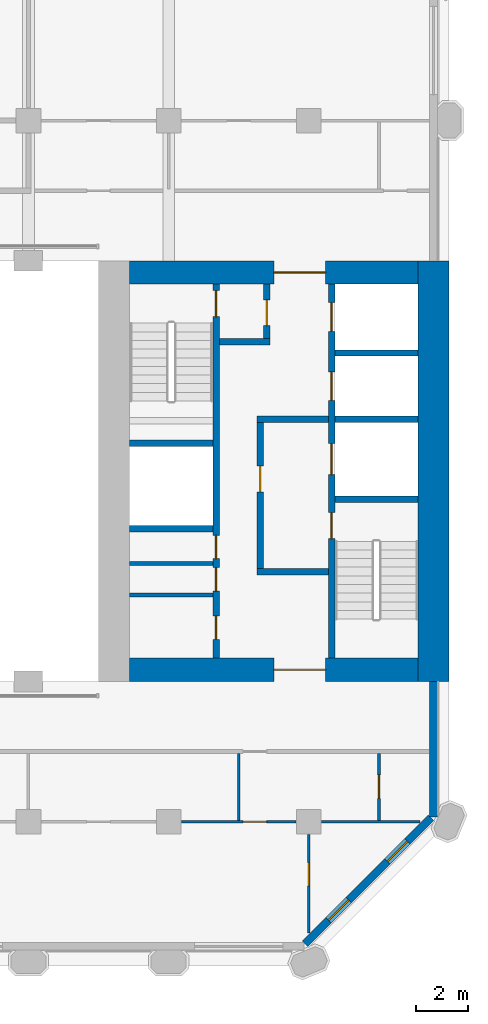
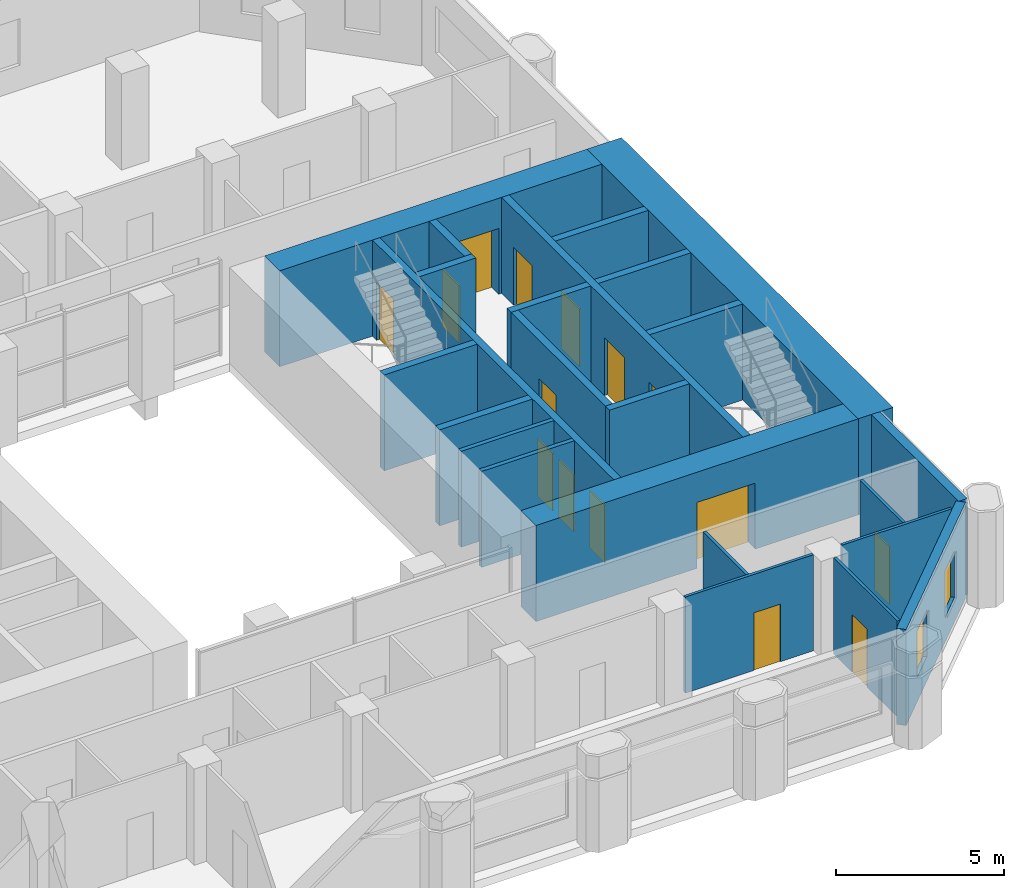
# One storey, part 8 of 13: 24 walls, 15 doors, 2 windows, 17 openings.
"""IFC4 building model written with IfcOpenShell, lengths in metres."""

from ifc_helpers import new_model, si_unit, direction, frame, frame_2d, origin, place, context, subcontext, project, spatial, rectangle, extrude, material, layer, layer_set, type_object, element, fill, save


model = new_model("IFC4")

# Units and contexts
model_context = context("Model", 3, precision=1e-05, world=origin(), true_north=direction((0.0, 1.0)))
body_context = subcontext(model_context, "Body", "Model", "MODEL_VIEW")
ifc_project = project(units=[si_unit("LENGTHUNIT", "METRE"), si_unit("AREAUNIT", "SQUARE_METRE"), si_unit("VOLUMEUNIT", "CUBIC_METRE"), si_unit("PLANEANGLEUNIT", "RADIAN"), si_unit("MASSUNIT", "GRAM", prefix="KILO")], contexts=[model_context])

# Site, building, storey
site_placement = place(None, origin())
site = spatial("IfcSite", under=ifc_project, at=site_placement, CompositionType="ELEMENT")
building_placement = place(site_placement, origin())
building = spatial("IfcBuilding", under=site, at=building_placement, Name="Tabaq Tower and Sports Hall", CompositionType="ELEMENT")
storey_placement = place(building_placement, frame((0.0, 0.0, 114.39990234375)))
storey = spatial("IfcBuildingStorey", under=building, at=storey_placement, Name="L27", CompositionType="ELEMENT", Elevation=114.39990234375)

# Walls
ifc_material_1 = material(Name="Blockwork", Category="masonry")
ifc_layer_1 = layer(ifc_material_1, 0.14990234375)
ifc_layer_set_1 = layer_set([ifc_layer_1], Name="Core room partition 150 Blockwork")
wall_type_1 = type_object("IfcWallType", Name="Core room partition 150 Blockwork", PredefinedType="PARTITIONING", material=ifc_layer_set_1)
for number, where, z_axis, x_axis, name in (
    (1, (30.89990234375, 19.52490234375, 0.0), (0.0, 0.0, 1.0), (1.0, 0.0, 0.0), "Core room partition E L27"),
    (2, (30.89990234375, 20.737060546875, 0.0), (0.0, 0.0, 1.0), (1.0, 0.0, 0.0), "Core room partition E L27"),
):
    element("IfcWall", number, at=place(storey_placement, frame(where, z_axis=z_axis, x_axis=x_axis)), inside=storey, type_object=wall_type_1, Name=name, PredefinedType="PARTITIONING", context=body_context, shape_type="SweptSolid", body=[
        extrude(rectangle(XDim=3.2001953125, YDim=0.14990234375, at=frame_2d((1.60009765625, 0.0))), origin(), (0.0, 0.0, 1.0), 3.5),
    ])
ifc_material_2 = material(Name="Concrete C60/75", Category="concrete")
ifc_layer_2 = layer(ifc_material_2, 1.199951171875)
ifc_layer_set_2 = layer_set([ifc_layer_2], Name="Core wall 1200 Concrete C60/75")
wall_type_2 = type_object("IfcWallType", Name="Core wall 1200 Concrete C60/75", PredefinedType="SOLIDWALL", material=ifc_layer_set_2)
wall_1_placement = place(storey_placement, frame((42.60009765625, 32.39990234375, 0.0), z_axis=(0.0, 0.0, 1.0), x_axis=(0.0, -1.0, 0.0)))
element("IfcWall", 3, at=wall_1_placement, inside=storey, type_object=wall_type_2, Name="Core wall E L27", PredefinedType="SOLIDWALL", context=body_context, shape_type="SweptSolid", body=[
    extrude(rectangle(XDim=16.199951171875, YDim=1.199951171875, at=frame_2d((8.10009765625, 0.0))), origin(), (0.0, 0.0, 1.0), 3.5),
])

# Wall, opening, door
ifc_material_3 = material(Name="Concrete C60/75", Category="concrete")
ifc_layer_3 = layer(ifc_material_3, 0.89990234375)
ifc_layer_set_3 = layer_set([ifc_layer_3], Name="Core wall 900 Concrete C60/75")
wall_type_3 = type_object("IfcWallType", Name="Core wall 900 Concrete C60/75", PredefinedType="SOLIDWALL", material=ifc_layer_set_3)
wall_2_placement = place(storey_placement, frame((42.0, 16.64990234375, 0.0), z_axis=(0.0, 0.0, 1.0), x_axis=(-1.0, 0.0, 0.0)))
wall_2 = element("IfcWall", 4, at=wall_2_placement, inside=storey, type_object=wall_type_3, Name="Core wall E L27", PredefinedType="SOLIDWALL", context=body_context, shape_type="SweptSolid", body=[
    extrude(rectangle(XDim=11.10009765625, YDim=0.89990234375, at=frame_2d((5.550048828125, 0.0))), origin(), (0.0, 0.0, 1.0), 3.5),
])
opening_1_placement = place(wall_2_placement, frame((3.550048828125, 0.0, 0.0)))
opening_1 = element("IfcOpeningElement", 5, at=opening_1_placement, cuts=wall_2, Name="Opening PD-EL27-01", PredefinedType="OPENING", context=body_context, shape_type="SweptSolid", body=[
    extrude(rectangle(XDim=2.0, YDim=2.39990234375, at=frame_2d((1.0, 1.199951171875))), frame((0.0, 0.449951171875, 0.0), z_axis=(0.0, -1.0, 0.0), x_axis=(1.0, 0.0, 0.0)), (0.0, 0.0, 1.0), 0.89990234375),
])
ifc_material_4 = material(Name="Steel fire door", Category="steel")
door_type_1 = type_object("IfcDoorType", Name="Core entrance door 2000", OperationType="DOUBLE_DOOR_SINGLE_SWING", PredefinedType="DOOR", material=ifc_material_4)
door_1_placement = place(opening_1_placement, origin())
door_1 = element("IfcDoor", 6, at=door_1_placement, inside=storey, type_object=door_type_1, Name="Core entrance south E L27", OperationType="DOUBLE_DOOR_SINGLE_SWING", OverallHeight=2.39990234375, OverallWidth=2.0, PredefinedType="DOOR", context=body_context, shape_type="SweptSolid", body=[
    extrude(rectangle(XDim=2.0, YDim=2.39990234375, at=frame_2d((1.0, 1.199951171875))), frame((0.0, 0.02490234375, 0.0), z_axis=(0.0, -1.0, 0.0), x_axis=(1.0, 0.0, 0.0)), (0.0, 0.0, 1.0), 0.050048828125),
])
fill(opening_1, door_1)

wall_3_placement = place(storey_placement, frame((30.89990234375, 31.949951171875, 0.0), z_axis=(0.0, 0.0, 1.0), x_axis=(1.0, 0.0, 0.0)))
wall_3 = element("IfcWall", 7, at=wall_3_placement, inside=storey, type_object=wall_type_3, Name="Core wall E L27", PredefinedType="SOLIDWALL", context=body_context, shape_type="SweptSolid", body=[
    extrude(rectangle(XDim=11.10009765625, YDim=0.89990234375, at=frame_2d((5.550048828125, 0.0))), origin(), (0.0, 0.0, 1.0), 3.5),
])
opening_2_placement = place(wall_3_placement, frame((5.550048828125, 0.0, 0.0)))
opening_2 = element("IfcOpeningElement", 8, at=opening_2_placement, cuts=wall_3, Name="Opening PD-EL27-02", PredefinedType="OPENING", context=body_context, shape_type="SweptSolid", body=[
    extrude(rectangle(XDim=2.0, YDim=2.39990234375, at=frame_2d((1.0, 1.199951171875))), frame((0.0, 0.449951171875, 0.0), z_axis=(0.0, -1.0, 0.0), x_axis=(1.0, 0.0, 0.0)), (0.0, 0.0, 1.0), 0.89990234375),
])
door_2_placement = place(opening_2_placement, origin())
door_2 = element("IfcDoor", 9, at=door_2_placement, inside=storey, type_object=door_type_1, Name="Core entrance north E L27", OperationType="DOUBLE_DOOR_SINGLE_SWING", OverallHeight=2.39990234375, OverallWidth=2.0, PredefinedType="DOOR", context=body_context, shape_type="SweptSolid", body=[
    extrude(rectangle(XDim=2.0, YDim=2.39990234375, at=frame_2d((1.0, 1.199951171875))), frame((0.0, 0.02490234375, 0.0), z_axis=(0.0, -1.0, 0.0), x_axis=(1.0, 0.0, 0.0)), (0.0, 0.0, 1.0), 0.050048828125),
])
fill(opening_2, door_2)

# Wall
ifc_material_5 = material(Name="Gypsum board on steel studs", Category="steel")
ifc_layer_4 = layer(ifc_material_5, 0.10009765625)
ifc_layer_set_4 = layer_set([ifc_layer_4], Name="Partition 100 Gypsum board")
wall_type_4 = type_object("IfcWallType", Name="Partition 100 Gypsum board", PredefinedType="PARTITIONING", material=ifc_layer_set_4)
wall_4_placement = place(storey_placement, frame((35.10009765625, 10.85009765625, 0.0), z_axis=(0.0, 0.0, 1.0), x_axis=(0.0, 1.0, 0.0)))
element("IfcWall", 10, at=wall_4_placement, inside=storey, type_object=wall_type_4, Name="Partition wall L27", PredefinedType="PARTITIONING", context=body_context, shape_type="SweptSolid", body=[
    extrude(rectangle(XDim=2.574951171875, YDim=0.10009765625, at=frame_2d((1.28759765625, 0.0))), origin(), (0.0, 0.0, 1.0), 3.5),
])

# Wall, opening, door
wall_5_placement = place(storey_placement, frame((32.89501953125, 10.800048828125, 0.0), z_axis=(0.0, 0.0, 1.0), x_axis=(1.0, 0.0, 0.0)))
wall_5 = element("IfcWall", 11, at=wall_5_placement, inside=storey, type_object=wall_type_4, Name="Partition wall L27", PredefinedType="PARTITIONING", context=body_context, shape_type="SweptSolid", body=[
    extrude(rectangle(XDim=4.409912109375, YDim=0.10009765625, at=frame_2d((2.205078125, 0.0))), origin(), (0.0, 0.0, 1.0), 3.5),
])
opening_3_placement = place(wall_5_placement, frame((2.375, 0.0, 0.0)))
opening_3 = element("IfcOpeningElement", 12, at=opening_3_placement, cuts=wall_5, Name="Opening L27-033", PredefinedType="OPENING", context=body_context, shape_type="SweptSolid", body=[
    extrude(rectangle(XDim=0.89990234375, YDim=2.10009765625, at=frame_2d((0.449951171875, 1.050048828125))), frame((0.0, 0.050048828125, 0.0), z_axis=(0.0, -1.0, 0.0), x_axis=(1.0, 0.0, 0.0)), (0.0, 0.0, 1.0), 0.10009765625),
])
ifc_material_6 = material(Name="Timber leaf in steel frame", Category="steel")
door_type_2 = type_object("IfcDoorType", Name="Internal door 900 left hand", OperationType="SINGLE_SWING_LEFT", PredefinedType="DOOR", material=ifc_material_6)
door_3_placement = place(opening_3_placement, origin())
door_3 = element("IfcDoor", 13, at=door_3_placement, inside=storey, type_object=door_type_2, Name="Internal door L27-033", OperationType="SINGLE_SWING_LEFT", OverallHeight=2.10009765625, OverallWidth=0.89990234375, PredefinedType="DOOR", context=body_context, shape_type="SweptSolid", body=[
    extrude(rectangle(XDim=0.89990234375, YDim=2.10009765625, at=frame_2d((0.449951171875, 1.050048828125))), frame((0.0, 0.02490234375, 0.0), z_axis=(0.0, -1.0, 0.0), x_axis=(1.0, 0.0, 0.0)), (0.0, 0.0, 1.0), 0.050048828125),
])
fill(opening_3, door_3)

wall_6_placement = place(storey_placement, frame((40.5, 10.85009765625, 0.0), z_axis=(0.0, 0.0, 1.0), x_axis=(0.0, 1.0, 0.0)))
wall_6 = element("IfcWall", 14, at=wall_6_placement, inside=storey, type_object=wall_type_4, Name="Partition wall L27", PredefinedType="PARTITIONING", context=body_context, shape_type="SweptSolid", body=[
    extrude(rectangle(XDim=2.574951171875, YDim=0.10009765625, at=frame_2d((1.28759765625, 0.0))), origin(), (0.0, 0.0, 1.0), 3.5),
])
opening_4_placement = place(wall_6_placement, frame((0.85009765625, 0.0, 0.0)))
opening_4 = element("IfcOpeningElement", 15, at=opening_4_placement, cuts=wall_6, Name="Opening L27-023", PredefinedType="OPENING", context=body_context, shape_type="SweptSolid", body=[
    extrude(rectangle(XDim=0.89990234375, YDim=2.10009765625, at=frame_2d((0.449951171875, 1.050048828125))), frame((0.0, 0.050048828125, 0.0), z_axis=(0.0, -1.0, 0.0), x_axis=(1.0, 0.0, 0.0)), (0.0, 0.0, 1.0), 0.10009765625),
])
door_4_placement = place(opening_4_placement, origin())
door_4 = element("IfcDoor", 16, at=door_4_placement, inside=storey, type_object=door_type_2, Name="Internal door L27-023", OperationType="SINGLE_SWING_LEFT", OverallHeight=2.10009765625, OverallWidth=0.89990234375, PredefinedType="DOOR", context=body_context, shape_type="SweptSolid", body=[
    extrude(rectangle(XDim=0.89990234375, YDim=2.10009765625, at=frame_2d((0.449951171875, 1.050048828125))), frame((0.0, 0.02490234375, 0.0), z_axis=(0.0, -1.0, 0.0), x_axis=(1.0, 0.0, 0.0)), (0.0, 0.0, 1.0), 0.050048828125),
])
fill(opening_4, door_4)

# Wall
wall_7_placement = place(storey_placement, frame((38.294921875, 10.800048828125, 0.0), z_axis=(0.0, 0.0, 1.0), x_axis=(1.0, 0.0, 0.0)))
element("IfcWall", 17, at=wall_7_placement, inside=storey, type_object=wall_type_4, Name="Partition wall L27", PredefinedType="PARTITIONING", context=body_context, shape_type="SweptSolid", body=[
    extrude(rectangle(XDim=3.79296875, YDim=0.10009765625, at=frame_2d((1.896484375, 0.0))), origin(), (0.0, 0.0, 1.0), 3.5),
])

# Wall, opening, door
wall_8_placement = place(storey_placement, frame((37.800048828125, 6.51220703125, 0.0), z_axis=(0.0, 0.0, 1.0), x_axis=(0.0, 1.0, 0.0)))
wall_8 = element("IfcWall", 18, at=wall_8_placement, inside=storey, type_object=wall_type_4, Name="Partition wall L27", PredefinedType="PARTITIONING", context=body_context, shape_type="SweptSolid", body=[
    extrude(rectangle(XDim=3.792724609375, YDim=0.10009765625, at=frame_2d((1.896484375, 0.0))), origin(), (0.0, 0.0, 1.0), 3.5),
])
opening_5_placement = place(wall_8_placement, frame((1.81298828125, 0.0, 0.0)))
opening_5 = element("IfcOpeningElement", 19, at=opening_5_placement, cuts=wall_8, Name="Opening L27-024", PredefinedType="OPENING", context=body_context, shape_type="SweptSolid", body=[
    extrude(rectangle(XDim=0.89990234375, YDim=2.10009765625, at=frame_2d((0.449951171875, 1.050048828125))), frame((0.0, 0.050048828125, 0.0), z_axis=(0.0, -1.0, 0.0), x_axis=(1.0, 0.0, 0.0)), (0.0, 0.0, 1.0), 0.10009765625),
])
door_5_placement = place(opening_5_placement, origin())
door_5 = element("IfcDoor", 20, at=door_5_placement, inside=storey, type_object=door_type_2, Name="Internal door L27-024", OperationType="SINGLE_SWING_LEFT", OverallHeight=2.10009765625, OverallWidth=0.89990234375, PredefinedType="DOOR", context=body_context, shape_type="SweptSolid", body=[
    extrude(rectangle(XDim=0.89990234375, YDim=2.10009765625, at=frame_2d((0.449951171875, 1.050048828125))), frame((0.0, 0.02490234375, 0.0), z_axis=(0.0, -1.0, 0.0), x_axis=(1.0, 0.0, 0.0)), (0.0, 0.0, 1.0), 0.050048828125),
])
fill(opening_5, door_5)

# Wall, openings, doors
ifc_material_7 = material(Name="Concrete C40/50", Category="concrete")
ifc_layer_5 = layer(ifc_material_7, 0.25)
ifc_layer_set_5 = layer_set([ifc_layer_5], Name="Shaft and stair wall 250 Concrete C40/50")
wall_type_5 = type_object("IfcWallType", Name="Shaft and stair wall 250 Concrete C40/50", PredefinedType="SOLIDWALL", material=ifc_layer_set_5)
wall_9_placement = place(storey_placement, frame((38.675048828125, 17.10009765625, 0.0), z_axis=(0.0, 0.0, 1.0), x_axis=(0.0, 1.0, 0.0)))
wall_9 = element("IfcWall", 21, at=wall_9_placement, inside=storey, type_object=wall_type_5, Name="Shaft wall E L27", PredefinedType="SOLIDWALL", context=body_context, shape_type="SweptSolid", body=[
    extrude(rectangle(XDim=14.39990234375, YDim=0.25, at=frame_2d((7.199951171875, 0.0))), origin(), (0.0, 0.0, 1.0), 3.5),
])
opening_6_placement = place(wall_9_placement, frame((4.60009765625, 0.0, 0.0)))
opening_6 = element("IfcOpeningElement", 22, at=opening_6_placement, cuts=wall_9, Name="Opening SD-EL27-03", PredefinedType="OPENING", context=body_context, shape_type="SweptSolid", body=[
    extrude(rectangle(XDim=1.0, YDim=2.10009765625, at=frame_2d((0.5, 1.050048828125))), frame((0.0, 0.125, 0.0), z_axis=(0.0, -1.0, 0.0), x_axis=(1.0, 0.0, 0.0)), (0.0, 0.0, 1.0), 0.25),
])
opening_7_placement = place(wall_9_placement, frame((7.0625, 0.0, 0.0)))
opening_7 = element("IfcOpeningElement", 23, at=opening_7_placement, cuts=wall_9, Name="Opening LD-FF2-L27", PredefinedType="OPENING", context=body_context, shape_type="SweptSolid", body=[
    extrude(rectangle(XDim=1.199951171875, YDim=2.10009765625, at=frame_2d((0.60009765625, 1.050048828125))), frame((0.0, 0.125, 0.0), z_axis=(0.0, -1.0, 0.0), x_axis=(1.0, 0.0, 0.0)), (0.0, 0.0, 1.0), 0.25),
])
opening_8_placement = place(wall_9_placement, frame((9.925048828125, 0.0, 0.0)))
opening_8 = element("IfcOpeningElement", 24, at=opening_8_placement, cuts=wall_9, Name="Opening LD-LR3-L27", PredefinedType="OPENING", context=body_context, shape_type="SweptSolid", body=[
    extrude(rectangle(XDim=1.10009765625, YDim=2.10009765625, at=frame_2d((0.550048828125, 1.050048828125))), frame((0.0, 0.125, 0.0), z_axis=(0.0, -1.0, 0.0), x_axis=(1.0, 0.0, 0.0)), (0.0, 0.0, 1.0), 0.25),
])
opening_9_placement = place(wall_9_placement, frame((12.58740234375, 0.0, 0.0)))
opening_9 = element("IfcOpeningElement", 25, at=opening_9_placement, cuts=wall_9, Name="Opening LD-LR4-L27", PredefinedType="OPENING", context=body_context, shape_type="SweptSolid", body=[
    extrude(rectangle(XDim=1.10009765625, YDim=2.10009765625, at=frame_2d((0.550048828125, 1.050048828125))), frame((0.0, 0.125, 0.0), z_axis=(0.0, -1.0, 0.0), x_axis=(1.0, 0.0, 0.0)), (0.0, 0.0, 1.0), 0.25),
])
ifc_material_8 = material(Name="Stainless steel", Category="steel")
door_type_3 = type_object("IfcDoorType", Name="Lift landing door 1100", OperationType="DOUBLE_DOOR_SLIDING", PredefinedType="DOOR", material=ifc_material_8)
door_6_placement = place(opening_8_placement, origin())
door_6 = element("IfcDoor", 26, at=door_6_placement, inside=storey, type_object=door_type_3, Name="Lift landing door LR3 E L27", OperationType="DOUBLE_DOOR_SLIDING", OverallHeight=2.10009765625, OverallWidth=1.10009765625, PredefinedType="DOOR", context=body_context, shape_type="SweptSolid", body=[
    extrude(rectangle(XDim=1.10009765625, YDim=2.10009765625, at=frame_2d((0.550048828125, 1.050048828125))), frame((0.0, 0.02490234375, 0.0), z_axis=(0.0, -1.0, 0.0), x_axis=(1.0, 0.0, 0.0)), (0.0, 0.0, 1.0), 0.050048828125),
])
fill(opening_8, door_6)
door_7_placement = place(opening_9_placement, origin())
door_7 = element("IfcDoor", 27, at=door_7_placement, inside=storey, type_object=door_type_3, Name="Lift landing door LR4 E L27", OperationType="DOUBLE_DOOR_SLIDING", OverallHeight=2.10009765625, OverallWidth=1.10009765625, PredefinedType="DOOR", context=body_context, shape_type="SweptSolid", body=[
    extrude(rectangle(XDim=1.10009765625, YDim=2.10009765625, at=frame_2d((0.550048828125, 1.050048828125))), frame((0.0, 0.02490234375, 0.0), z_axis=(0.0, -1.0, 0.0), x_axis=(1.0, 0.0, 0.0)), (0.0, 0.0, 1.0), 0.050048828125),
])
fill(opening_9, door_7)
ifc_material_9 = material(Name="Stainless steel", Category="steel")
door_type_4 = type_object("IfcDoorType", Name="Lift landing door 1200", OperationType="DOUBLE_DOOR_SLIDING", PredefinedType="DOOR", material=ifc_material_9)
door_8_placement = place(opening_7_placement, origin())
door_8 = element("IfcDoor", 28, at=door_8_placement, inside=storey, type_object=door_type_4, Name="Lift landing door FF2 E L27", OperationType="DOUBLE_DOOR_SLIDING", OverallHeight=2.10009765625, OverallWidth=1.199951171875, PredefinedType="DOOR", context=body_context, shape_type="SweptSolid", body=[
    extrude(rectangle(XDim=1.199951171875, YDim=2.10009765625, at=frame_2d((0.60009765625, 1.050048828125))), frame((0.0, 0.02490234375, 0.0), z_axis=(0.0, -1.0, 0.0), x_axis=(1.0, 0.0, 0.0)), (0.0, 0.0, 1.0), 0.050048828125),
])
fill(opening_7, door_8)
ifc_material_10 = material(Name="Steel fire door", Category="steel")
door_type_5 = type_object("IfcDoorType", Name="Stair door 1000", OperationType="SINGLE_SWING_LEFT", PredefinedType="DOOR", material=ifc_material_10)
door_9_placement = place(opening_6_placement, origin())
door_9 = element("IfcDoor", 29, at=door_9_placement, inside=storey, type_object=door_type_5, Name="Stair door ST3 E L27", OperationType="SINGLE_SWING_LEFT", OverallHeight=2.10009765625, OverallWidth=1.0, PredefinedType="DOOR", context=body_context, shape_type="SweptSolid", body=[
    extrude(rectangle(XDim=1.0, YDim=2.10009765625, at=frame_2d((0.5, 1.050048828125))), frame((0.0, 0.02490234375, 0.0), z_axis=(0.0, -1.0, 0.0), x_axis=(1.0, 0.0, 0.0)), (0.0, 0.0, 1.0), 0.050048828125),
])
fill(opening_6, door_9)

wall_10_placement = place(storey_placement, frame((34.22509765625, 17.10009765625, 0.0), z_axis=(0.0, 0.0, 1.0), x_axis=(0.0, 1.0, 0.0)))
wall_10 = element("IfcWall", 30, at=wall_10_placement, inside=storey, type_object=wall_type_5, Name="Shaft wall E L27", PredefinedType="SOLIDWALL", context=body_context, shape_type="SweptSolid", body=[
    extrude(rectangle(XDim=14.39990234375, YDim=0.25, at=frame_2d((7.199951171875, 0.0))), origin(), (0.0, 0.0, 1.0), 3.5),
])
opening_10_placement = place(wall_10_placement, frame((13.14990234375, 0.0, 0.0)))
opening_10 = element("IfcOpeningElement", 31, at=opening_10_placement, cuts=wall_10, Name="Opening SD-EL27-05", PredefinedType="OPENING", context=body_context, shape_type="SweptSolid", body=[
    extrude(rectangle(XDim=1.0, YDim=2.10009765625, at=frame_2d((0.5, 1.050048828125))), frame((0.0, 0.125, 0.0), z_axis=(0.0, -1.0, 0.0), x_axis=(1.0, 0.0, 0.0)), (0.0, 0.0, 1.0), 0.25),
])
opening_11_placement = place(wall_10_placement, frame((0.72509765625, 0.0, 0.0)))
opening_11 = element("IfcOpeningElement", 32, at=opening_11_placement, cuts=wall_10, Name="Opening RD-EL27-10", PredefinedType="OPENING", context=body_context, shape_type="SweptSolid", body=[
    extrude(rectangle(XDim=0.89990234375, YDim=2.10009765625, at=frame_2d((0.449951171875, 1.050048828125))), frame((0.0, 0.125, 0.0), z_axis=(0.0, -1.0, 0.0), x_axis=(1.0, 0.0, 0.0)), (0.0, 0.0, 1.0), 0.25),
])
opening_12_placement = place(wall_10_placement, frame((2.5810546875, 0.0, 0.0)))
opening_12 = element("IfcOpeningElement", 33, at=opening_12_placement, cuts=wall_10, Name="Opening RD-EL27-11", PredefinedType="OPENING", context=body_context, shape_type="SweptSolid", body=[
    extrude(rectangle(XDim=0.89990234375, YDim=2.10009765625, at=frame_2d((0.449951171875, 1.050048828125))), frame((0.0, 0.125, 0.0), z_axis=(0.0, -1.0, 0.0), x_axis=(1.0, 0.0, 0.0)), (0.0, 0.0, 1.0), 0.25),
])
opening_13_placement = place(wall_10_placement, frame((3.8310546875, 0.0, 0.0)))
opening_13 = element("IfcOpeningElement", 34, at=opening_13_placement, cuts=wall_10, Name="Opening RD-EL27-12", PredefinedType="OPENING", context=body_context, shape_type="SweptSolid", body=[
    extrude(rectangle(XDim=0.89990234375, YDim=2.10009765625, at=frame_2d((0.449951171875, 1.050048828125))), frame((0.0, 0.125, 0.0), z_axis=(0.0, -1.0, 0.0), x_axis=(1.0, 0.0, 0.0)), (0.0, 0.0, 1.0), 0.25),
])
ifc_material_11 = material(Name="Steel fire door", Category="steel")
door_type_6 = type_object("IfcDoorType", Name="Core room door 900", OperationType="SINGLE_SWING_LEFT", PredefinedType="DOOR", material=ifc_material_11)
door_10_placement = place(opening_11_placement, origin())
door_10 = element("IfcDoor", 35, at=door_10_placement, inside=storey, type_object=door_type_6, Name="Door Unisex WC E L27", OperationType="SINGLE_SWING_LEFT", OverallHeight=2.10009765625, OverallWidth=0.89990234375, PredefinedType="DOOR", context=body_context, shape_type="SweptSolid", body=[
    extrude(rectangle(XDim=0.89990234375, YDim=2.10009765625, at=frame_2d((0.449951171875, 1.050048828125))), frame((0.0, 0.02490234375, 0.0), z_axis=(0.0, -1.0, 0.0), x_axis=(1.0, 0.0, 0.0)), (0.0, 0.0, 1.0), 0.050048828125),
])
fill(opening_11, door_10)
door_11_placement = place(opening_12_placement, origin())
door_11 = element("IfcDoor", 36, at=door_11_placement, inside=storey, type_object=door_type_6, Name="Door Cleaner's Store E L27", OperationType="SINGLE_SWING_LEFT", OverallHeight=2.10009765625, OverallWidth=0.89990234375, PredefinedType="DOOR", context=body_context, shape_type="SweptSolid", body=[
    extrude(rectangle(XDim=0.89990234375, YDim=2.10009765625, at=frame_2d((0.449951171875, 1.050048828125))), frame((0.0, 0.02490234375, 0.0), z_axis=(0.0, -1.0, 0.0), x_axis=(1.0, 0.0, 0.0)), (0.0, 0.0, 1.0), 0.050048828125),
])
fill(opening_12, door_11)
door_12_placement = place(opening_13_placement, origin())
door_12 = element("IfcDoor", 37, at=door_12_placement, inside=storey, type_object=door_type_6, Name="Door Accessible WC E L27", OperationType="SINGLE_SWING_LEFT", OverallHeight=2.10009765625, OverallWidth=0.89990234375, PredefinedType="DOOR", context=body_context, shape_type="SweptSolid", body=[
    extrude(rectangle(XDim=0.89990234375, YDim=2.10009765625, at=frame_2d((0.449951171875, 1.050048828125))), frame((0.0, 0.02490234375, 0.0), z_axis=(0.0, -1.0, 0.0), x_axis=(1.0, 0.0, 0.0)), (0.0, 0.0, 1.0), 0.050048828125),
])
fill(opening_13, door_12)
door_13_placement = place(opening_10_placement, origin())
door_13 = element("IfcDoor", 38, at=door_13_placement, inside=storey, type_object=door_type_5, Name="Stair door ST4 E L27", OperationType="SINGLE_SWING_LEFT", OverallHeight=2.10009765625, OverallWidth=1.0, PredefinedType="DOOR", context=body_context, shape_type="SweptSolid", body=[
    extrude(rectangle(XDim=1.0, YDim=2.10009765625, at=frame_2d((0.5, 1.050048828125))), frame((0.0, 0.02490234375, 0.0), z_axis=(0.0, -1.0, 0.0), x_axis=(1.0, 0.0, 0.0)), (0.0, 0.0, 1.0), 0.050048828125),
])
fill(opening_10, door_13)

# Walls
wall_11_placement = place(storey_placement, frame((38.800048828125, 23.22509765625, 0.0), z_axis=(0.0, 0.0, 1.0), x_axis=(1.0, 0.0, 0.0)))
element("IfcWall", 39, at=wall_11_placement, inside=storey, type_object=wall_type_5, Name="Stair enclosure wall E L27", PredefinedType="SOLIDWALL", context=body_context, shape_type="SweptSolid", body=[
    extrude(rectangle(XDim=3.199951171875, YDim=0.25, at=frame_2d((1.60009765625, 0.0))), origin(), (0.0, 0.0, 1.0), 3.5),
])
for number, where, z_axis, x_axis, name in (
    (40, (30.89990234375, 25.375, 0.0), (0.0, 0.0, 1.0), (1.0, 0.0, 0.0), "Stair enclosure wall E L27"),
    (41, (30.89990234375, 22.074951171875, 0.0), (0.0, 0.0, 1.0), (1.0, 0.0, 0.0), "Shaft wall E L27"),
):
    element("IfcWall", number, at=place(storey_placement, frame(where, z_axis=z_axis, x_axis=x_axis)), inside=storey, type_object=wall_type_5, Name=name, PredefinedType="SOLIDWALL", context=body_context, shape_type="SweptSolid", body=[
        extrude(rectangle(XDim=3.2001953125, YDim=0.25, at=frame_2d((1.60009765625, 0.0))), origin(), (0.0, 0.0, 1.0), 3.5),
    ])
wall_12_placement = place(storey_placement, frame((38.800048828125, 26.300048828125, 0.0), z_axis=(0.0, 0.0, 1.0), x_axis=(1.0, 0.0, 0.0)))
element("IfcWall", 42, at=wall_12_placement, inside=storey, type_object=wall_type_5, Name="Shaft wall E L27", PredefinedType="SOLIDWALL", context=body_context, shape_type="SweptSolid", body=[
    extrude(rectangle(XDim=3.199951171875, YDim=0.25, at=frame_2d((1.60009765625, 0.0))), origin(), (0.0, 0.0, 1.0), 3.5),
])
for number, where, z_axis, x_axis, name in (
    (43, (35.800048828125, 26.300048828125, 0.0), (0.0, 0.0, 1.0), (1.0, 0.0, 0.0), "Fire-fighting lobby wall E L27"),
    (44, (35.800048828125, 20.425048828125, 0.0), (0.0, 0.0, 1.0), (1.0, 0.0, 0.0), "Fire-fighting lobby wall E L27"),
):
    element("IfcWall", number, at=place(storey_placement, frame(where, z_axis=z_axis, x_axis=x_axis)), inside=storey, type_object=wall_type_5, Name=name, PredefinedType="SOLIDWALL", context=body_context, shape_type="SweptSolid", body=[
        extrude(rectangle(XDim=2.75, YDim=0.25, at=frame_2d((1.375, 0.0))), origin(), (0.0, 0.0, 1.0), 3.5),
    ])

# Wall, opening, door
wall_13_placement = place(storey_placement, frame((36.175048828125, 29.39990234375, 0.0), z_axis=(0.0, 0.0, 1.0), x_axis=(0.0, 1.0, 0.0)))
wall_13 = element("IfcWall", 45, at=wall_13_placement, inside=storey, type_object=wall_type_5, Name="Fire-fighting lobby wall E L27", PredefinedType="SOLIDWALL", context=body_context, shape_type="SweptSolid", body=[
    extrude(rectangle(XDim=2.10009765625, YDim=0.25, at=frame_2d((1.050048828125, 0.0))), origin(), (0.0, 0.0, 1.0), 3.5),
])
opening_14_placement = place(wall_13_placement, frame((0.5, 0.0, 0.0)))
opening_14 = element("IfcOpeningElement", 46, at=opening_14_placement, cuts=wall_13, Name="Opening FD-EL27-06", PredefinedType="OPENING", context=body_context, shape_type="SweptSolid", body=[
    extrude(rectangle(XDim=1.0, YDim=2.10009765625, at=frame_2d((0.5, 1.050048828125))), frame((0.0, 0.125, 0.0), z_axis=(0.0, -1.0, 0.0), x_axis=(1.0, 0.0, 0.0)), (0.0, 0.0, 1.0), 0.25),
])
ifc_material_12 = material(Name="Steel fire door", Category="steel")
door_type_7 = type_object("IfcDoorType", Name="Fire-fighting lobby door 1000", OperationType="SINGLE_SWING_LEFT", PredefinedType="DOOR", material=ifc_material_12)
door_14_placement = place(opening_14_placement, origin())
door_14 = element("IfcDoor", 47, at=door_14_placement, inside=storey, type_object=door_type_7, Name="Stair lobby door E L27", OperationType="SINGLE_SWING_LEFT", OverallHeight=2.10009765625, OverallWidth=1.0, PredefinedType="DOOR", context=body_context, shape_type="SweptSolid", body=[
    extrude(rectangle(XDim=1.0, YDim=2.10009765625, at=frame_2d((0.5, 1.050048828125))), frame((0.0, 0.02490234375, 0.0), z_axis=(0.0, -1.0, 0.0), x_axis=(1.0, 0.0, 0.0)), (0.0, 0.0, 1.0), 0.050048828125),
])
fill(opening_14, door_14)

# Wall
wall_14_placement = place(storey_placement, frame((34.35009765625, 29.27490234375, 0.0), z_axis=(0.0, 0.0, 1.0), x_axis=(1.0, 0.0, 0.0)))
element("IfcWall", 48, at=wall_14_placement, inside=storey, type_object=wall_type_5, Name="Fire-fighting lobby wall E L27", PredefinedType="SOLIDWALL", context=body_context, shape_type="SweptSolid", body=[
    extrude(rectangle(XDim=1.949951171875, YDim=0.25, at=frame_2d((0.97509765625, 0.0))), origin(), (0.0, 0.0, 1.0), 3.5),
])

# Wall, opening, door
wall_15_placement = place(storey_placement, frame((35.925048828125, 20.550048828125, 0.0), z_axis=(0.0, 0.0, 1.0), x_axis=(0.0, 1.0, 0.0)))
wall_15 = element("IfcWall", 49, at=wall_15_placement, inside=storey, type_object=wall_type_5, Name="Fire-fighting lobby wall E L27", PredefinedType="SOLIDWALL", context=body_context, shape_type="SweptSolid", body=[
    extrude(rectangle(XDim=5.625, YDim=0.25, at=frame_2d((2.8125, 0.0))), origin(), (0.0, 0.0, 1.0), 3.5),
])
opening_15_placement = place(wall_15_placement, frame((2.949951171875, 0.0, 0.0)))
opening_15 = element("IfcOpeningElement", 50, at=opening_15_placement, cuts=wall_15, Name="Opening FD-EL27-04", PredefinedType="OPENING", context=body_context, shape_type="SweptSolid", body=[
    extrude(rectangle(XDim=1.0, YDim=2.10009765625, at=frame_2d((0.5, 1.050048828125))), frame((0.0, 0.125, 0.0), z_axis=(0.0, -1.0, 0.0), x_axis=(1.0, 0.0, 0.0)), (0.0, 0.0, 1.0), 0.25),
])
door_15_placement = place(opening_15_placement, origin())
door_15 = element("IfcDoor", 51, at=door_15_placement, inside=storey, type_object=door_type_7, Name="Fire-fighting lobby door E L27", OperationType="SINGLE_SWING_LEFT", OverallHeight=2.10009765625, OverallWidth=1.0, PredefinedType="DOOR", context=body_context, shape_type="SweptSolid", body=[
    extrude(rectangle(XDim=1.0, YDim=2.10009765625, at=frame_2d((0.5, 1.050048828125))), frame((0.0, 0.02490234375, 0.0), z_axis=(0.0, -1.0, 0.0), x_axis=(1.0, 0.0, 0.0)), (0.0, 0.0, 1.0), 0.050048828125),
])
fill(opening_15, door_15)

# Wall
wall_16_placement = place(storey_placement, frame((38.800048828125, 28.85009765625, 0.0), z_axis=(0.0, 0.0, 1.0), x_axis=(1.0, 0.0, 0.0)))
element("IfcWall", 52, at=wall_16_placement, inside=storey, type_object=wall_type_5, Name="Shaft wall E L27", PredefinedType="SOLIDWALL", context=body_context, shape_type="SweptSolid", body=[
    extrude(rectangle(XDim=3.199951171875, YDim=0.25, at=frame_2d((1.60009765625, 0.0))), origin(), (0.0, 0.0, 1.0), 3.5),
])

# Wall, openings, windows
ifc_material_13 = material(Name="White precast concrete C60/75", Category="concrete")
ifc_layer_6 = layer(ifc_material_13, 0.300048828125)
ifc_layer_set_6 = layer_set([ifc_layer_6], Name="White precast concrete C60/75 external wall 300")
wall_type_6 = type_object("IfcWallType", Name="White precast concrete C60/75 external wall 300", PredefinedType="SOLIDWALL", material=ifc_layer_set_6)
wall_17_placement = place(storey_placement, frame((37.650390625, 6.098876953125, 0.0), z_axis=(0.0, 0.0, 1.0), x_axis=(0.707106781187, 0.707106781187, 0.0)))
wall_17 = element("IfcWall", 53, at=wall_17_placement, inside=storey, type_object=wall_type_6, Name="External Wall L27 SE", PredefinedType="SOLIDWALL", context=body_context, shape_type="SweptSolid", body=[
    extrude(rectangle(XDim=6.85986328125, YDim=0.300048828125, at=frame_2d((3.429931640625, 0.0))), origin(), (0.0, 0.0, 1.0), 3.5),
])
opening_16_placement = place(wall_17_placement, frame((1.27978515625, 0.0, 0.89990234375)))
opening_16 = element("IfcOpeningElement", 54, at=opening_16_placement, cuts=wall_17, Name="Opening W1B", PredefinedType="OPENING", context=body_context, shape_type="SweptSolid", body=[
    extrude(rectangle(XDim=1.10009765625, YDim=1.699951171875, at=frame_2d((0.550048828125, 0.85009765625))), frame((0.0, 0.16015625, 0.0), z_axis=(0.0, -1.0, 0.0), x_axis=(1.0, 0.0, 0.0)), (0.0, 0.0, 1.0), 0.320068359375),
])
opening_17_placement = place(wall_17_placement, frame((4.479736328125, 0.0, 0.89990234375)))
opening_17 = element("IfcOpeningElement", 55, at=opening_17_placement, cuts=wall_17, Name="Opening W1B", PredefinedType="OPENING", context=body_context, shape_type="SweptSolid", body=[
    extrude(rectangle(XDim=1.10009765625, YDim=1.699951171875, at=frame_2d((0.550048828125, 0.85009765625))), frame((0.0, 0.16015625, 0.0), z_axis=(0.0, -1.0, 0.0), x_axis=(1.0, 0.0, 0.0)), (0.0, 0.0, 1.0), 0.320068359375),
])
ifc_material_14 = material(Name="Aluminium framed clear glazing", Category="aluminium")
window_type = type_object("IfcWindowType", Name="Window W1B", PartitioningType="SINGLE_PANEL", PredefinedType="WINDOW", material=ifc_material_14)
window_1_placement = place(opening_16_placement, origin())
window_1 = element("IfcWindow", 56, at=window_1_placement, inside=storey, type_object=window_type, Name="Window W1B L27", OverallHeight=1.699951171875, OverallWidth=1.10009765625, PartitioningType="SINGLE_PANEL", PredefinedType="WINDOW", context=body_context, shape_type="SweptSolid", body=[
    extrude(rectangle(XDim=1.10009765625, YDim=1.699951171875, at=frame_2d((0.550048828125, 0.85009765625))), frame((0.0, 0.030029296875, 0.0), z_axis=(0.0, -1.0, 0.0), x_axis=(1.0, 0.0, 0.0)), (0.0, 0.0, 1.0), 0.06005859375),
])
fill(opening_16, window_1)
window_2_placement = place(opening_17_placement, origin())
window_2 = element("IfcWindow", 57, at=window_2_placement, inside=storey, type_object=window_type, Name="Window W1B L27", OverallHeight=1.699951171875, OverallWidth=1.10009765625, PartitioningType="SINGLE_PANEL", PredefinedType="WINDOW", context=body_context, shape_type="SweptSolid", body=[
    extrude(rectangle(XDim=1.10009765625, YDim=1.699951171875, at=frame_2d((0.550048828125, 0.85009765625))), frame((0.0, 0.030029296875, 0.0), z_axis=(0.0, -1.0, 0.0), x_axis=(1.0, 0.0, 0.0)), (0.0, 0.0, 1.0), 0.06005859375),
])
fill(opening_17, window_2)

# Wall
wall_18_placement = place(storey_placement, frame((42.60009765625, 10.986328125, 0.0), z_axis=(0.0, 0.0, 1.0), x_axis=(0.0, 1.0, 0.0)))
element("IfcWall", 58, at=wall_18_placement, inside=storey, type_object=wall_type_6, Name="External Wall L27 E", PredefinedType="SOLIDWALL", context=body_context, shape_type="SweptSolid", body=[
    extrude(rectangle(XDim=5.213623046875, YDim=0.300048828125, at=frame_2d((2.60693359375, 0.0))), origin(), (0.0, 0.0, 1.0), 3.5),
])

save(model, "model.ifc")
